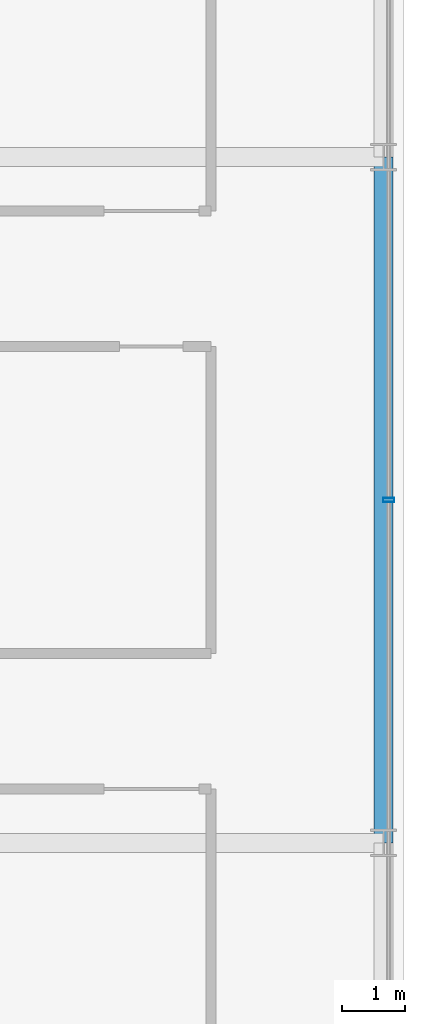
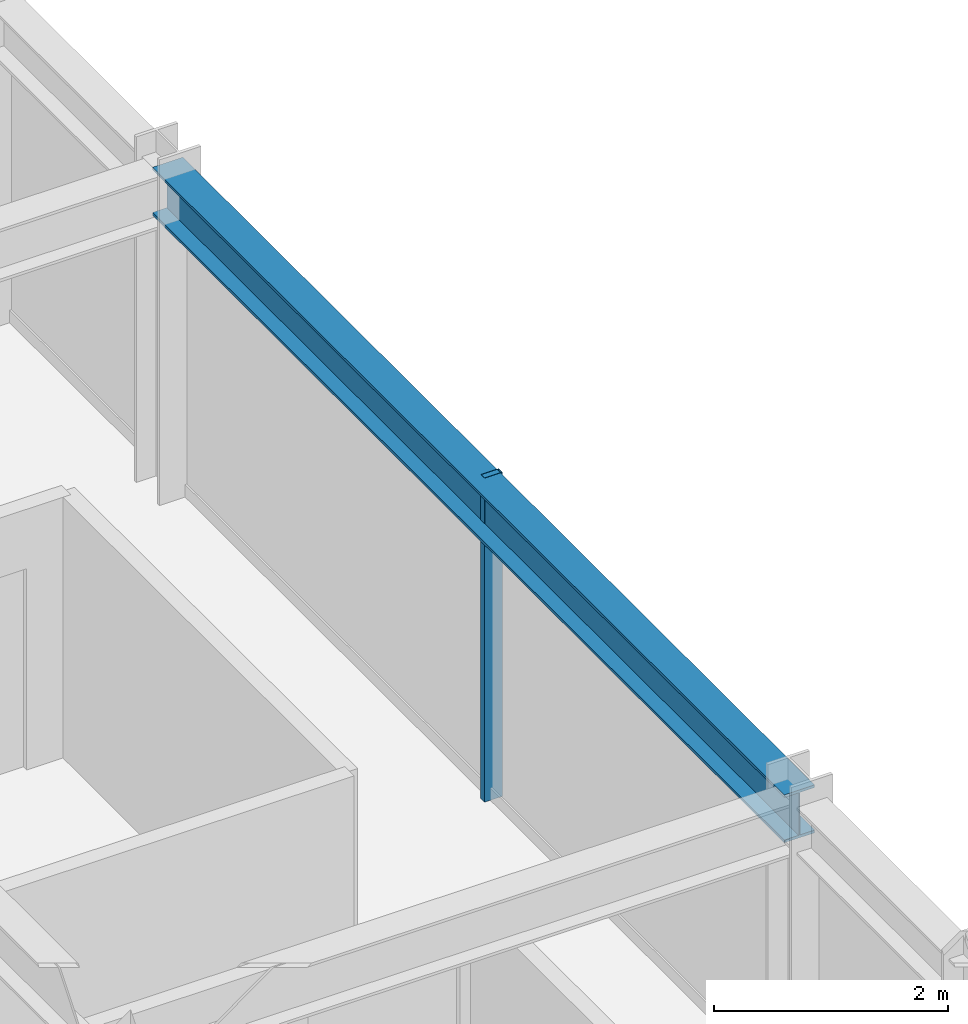
# One storey, part 16 of 32: 1 beam, 1 member, 1 element without a shape of its own.
"""IFC4 building model written with IfcOpenShell, lengths in metres."""

from ifc_helpers import new_model, si_unit, direction, frame, origin, origin_2d, place, context, subcontext, project, spatial, hollow_rectangle, i_section, extrude, source, transform, mapped, material, material_profile, profile_set, type_object, element, aggregate, save


model = new_model("IFC4")

# Units and contexts
model_context = context("Model", 3, precision=1e-05, world=origin(), true_north=direction((0.0, 1.0)))
body_context = subcontext(model_context, "Body", "Model", "MODEL_VIEW")
ifc_project = project(units=[si_unit("LENGTHUNIT", "METRE"), si_unit("AREAUNIT", "SQUARE_METRE"), si_unit("VOLUMEUNIT", "CUBIC_METRE"), si_unit("PLANEANGLEUNIT", "RADIAN"), si_unit("MASSUNIT", "GRAM", prefix="KILO")], contexts=[model_context])

# Site, building, storey
site_placement = place(None, origin())
site = spatial("IfcSite", under=ifc_project, at=site_placement, CompositionType="ELEMENT")
building_placement = place(site_placement, origin())
building = spatial("IfcBuilding", under=site, at=building_placement, Name="Nahalor Promenade Grand Hotel", CompositionType="ELEMENT")
storey_placement = place(building_placement, frame((0.0, 0.0, 110.199951171875)))
storey = spatial("IfcBuildingStorey", under=building, at=storey_placement, Name="L27", CompositionType="ELEMENT", Elevation=110.199951171875)

# Beam
ifc_material_1 = material(Name="Steel S355JR", Category="steel")
ifc_material_profile_1 = material_profile(ifc_material_1, i_section(OverallWidth=0.3, OverallDepth=0.5, WebThickness=0.0145, FlangeThickness=0.028, at=origin_2d()), Name="HEB 500")
ifc_profile_set_1 = profile_set([ifc_material_profile_1], Name="Steel S355JR")
beam_type = type_object("IfcBeamType", Name="Beam-Spandrel-HEB500", PredefinedType="SPANDREL", material=ifc_profile_set_1)
shared_shape_1 = source(origin(), body_context, "Body", "SweptSolid", [
    extrude(i_section(OverallWidth=0.3, OverallDepth=0.5, WebThickness=0.0145, FlangeThickness=0.028, at=origin_2d()), origin(), (0.0, 0.0, 1.0), 10.7998046875),
])
beam_placement = place(storey_placement, frame((23.780029296875, -5.39990234375, 3.130126953125), z_axis=(0.0, 1.0, 0.0), x_axis=(-1.0, 0.0, 0.0)))
element("IfcBeam", 1, at=beam_placement, inside=storey, type_object=beam_type, Name="BM-L27-SP-E-2", PredefinedType="SPANDREL", context=body_context, shape_type="MappedRepresentation", body=[
    mapped(shared_shape_1, transform((0.0, 0.0, 0.0), scale=1.0)),
])

# Curtain wall, member
ifc_material_2 = material(Name="Anodised Bronze Aluminium EN AW-6063 T6", Category="aluminium")
curtain_wall_type = type_object("IfcCurtainWallType", Name="CW2 Typical Hotel Flush Bronze Unitised Curtain Wall", PredefinedType="USERDEFINED", material=ifc_material_2)
curtain_wall_placement = place(storey_placement, origin())
curtain_wall = element("IfcCurtainWall", 2, at=curtain_wall_placement, inside=storey, type_object=curtain_wall_type, Name="L27 Curtain Wall CW-L27-E-1", ObjectType="UNITISED_CURTAIN_WALL", PredefinedType="USERDEFINED")
ifc_material_profile_2 = material_profile(ifc_material_2, hollow_rectangle(XDim=0.065, YDim=0.18, WallThickness=0.004, at=origin_2d()), Name="CWM 65x180x4")
ifc_profile_set_2 = profile_set([ifc_material_profile_2], Name="Anodised Bronze Aluminium EN AW-6063 T6")
member_type = type_object("IfcMemberType", Name="CWM2 Typical Bronze Mullion 65x180", PredefinedType="MULLION", material=ifc_profile_set_2)
shared_shape_2 = source(origin(), body_context, "Body", "SweptSolid", [
    extrude(hollow_rectangle(XDim=0.065, YDim=0.18, WallThickness=0.004, at=origin_2d()), origin(), (0.0, 0.0, 1.0), 3.380126953125),
])
member_placement = place(storey_placement, frame((23.860107421875, 0.0, 0.0), z_axis=(0.0, 0.0, 1.0), x_axis=(0.0, 1.0, 0.0)))
member = element("IfcMember", 3, at=member_placement, type_object=member_type, Name="CW-L27-E-1 Mullion 2", PredefinedType="MULLION", context=body_context, shape_type="MappedRepresentation", body=[
    mapped(shared_shape_2, transform((0.0, 0.0, 0.0), scale=1.0)),
])
aggregate(curtain_wall, [member])

save(model, "model.ifc")
